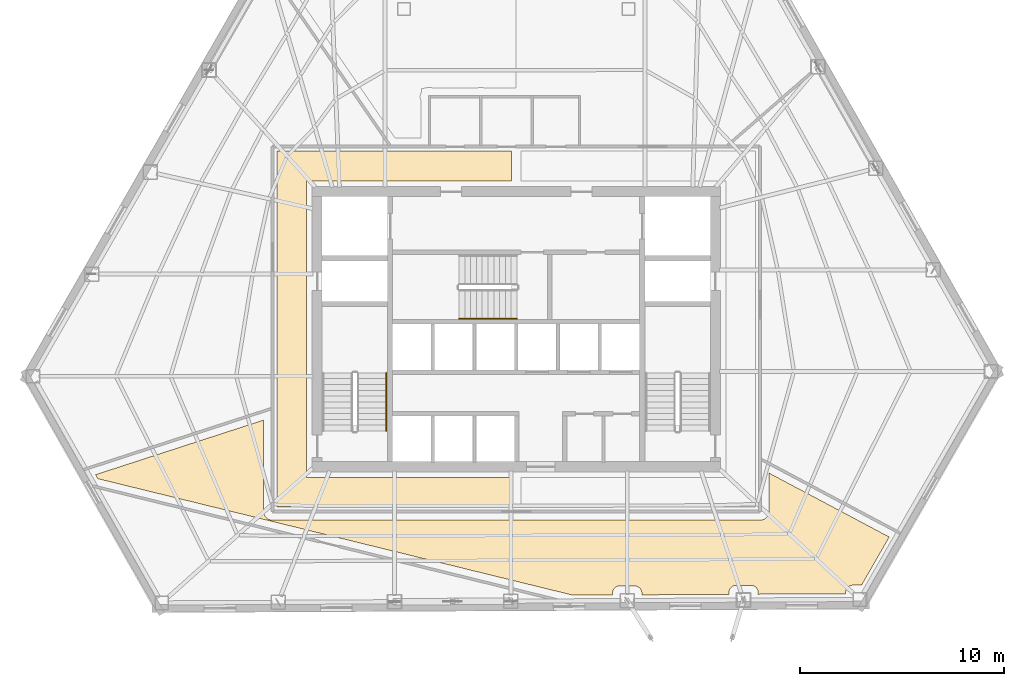
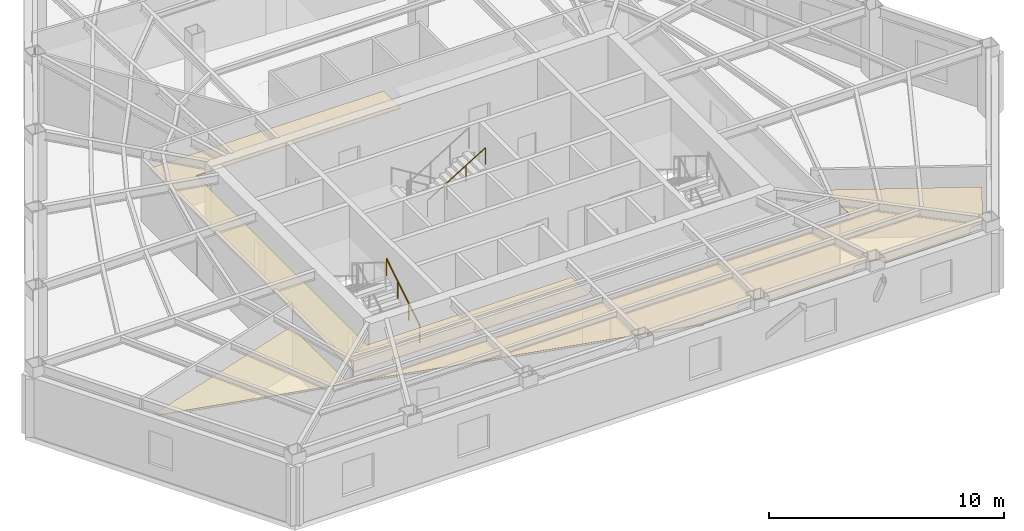
# One storey, part 12 of 13: 2 coverings, 2 railings.
"""IFC4 building model written with IfcOpenShell, lengths in metres."""

import ifcopenshell
import ifcopenshell.guid

model = None  # the IFC model being written
_history = None  # IfcOwnerHistory: only IFC2X3 demands one
_inside = {}  # id of a spatial element -> (the spatial element, [elements in it])
_under = {}  # id of a project, library or spatial element -> (it, [spatial elements below it])
_declared = {}  # id of a project -> (the project, [libraries it declares])
_typed = {}  # id of a type object -> (the type object, [elements of that type])
_made_of = {}  # id of a material, layer set ... -> (it, [elements and type objects made of it])


def new_model(schema):
    """Start an empty IFC model of exactly this schema.

    Asked for "IFC4X3", IfcOpenShell would pick the latest addendum, in which some entities
    have other attributes; the version numbers below select the first issue.
    IFC2X3 requires an IfcOwnerHistory on every rooted entity: one is made here for all.
    """
    global model, _history
    if schema == "IFC4X3":
        model = ifcopenshell.file(schema_version=(4, 3, 0, 0))
    else:
        model = ifcopenshell.file(schema=schema)
    _inside.clear()
    _under.clear()
    _declared.clear()
    _typed.clear()
    _made_of.clear()
    _history = None
    if model.schema == "IFC2X3":
        org = make("IfcOrganization", Name="unknown")
        user = make(
            "IfcPersonAndOrganization",
            ThePerson=make("IfcPerson", FamilyName="unknown"),
            TheOrganization=org,
        )
        app = make(
            "IfcApplication",
            ApplicationDeveloper=org,
            Version="unknown",
            ApplicationFullName="unknown",
            ApplicationIdentifier="unknown",
        )
        _history = make(
            "IfcOwnerHistory",
            OwningUser=user,
            OwningApplication=app,
            ChangeAction="ADDED",
            CreationDate=0,
        )
    return model


def make(cls, **values):
    """One entity of the class cls with the attributes given. An attribute that is None is left unset."""
    return model.create_entity(
        cls, **{name: value for name, value in values.items() if value is not None}
    )


def rooted(cls, **values):
    """An entity with a GlobalId (a new one), such as an element, a storey or a relation."""
    return make(cls, GlobalId=ifcopenshell.guid.new(), OwnerHistory=_history, **values)


def si_unit(unit_type, name, prefix=None):
    """IfcSIUnit, for example si_unit("LENGTHUNIT", "METRE", prefix="MILLI")."""
    return make("IfcSIUnit", UnitType=unit_type, Prefix=prefix, Name=name)


def assignment(units):
    """IfcUnitAssignment: the units of a project."""
    return None if units is None else make("IfcUnitAssignment", Units=units)


def point(xyz):
    """IfcCartesianPoint."""
    return None if xyz is None else make("IfcCartesianPoint", Coordinates=xyz)


def direction(xyz):
    """IfcDirection."""
    return None if xyz is None else make("IfcDirection", DirectionRatios=xyz)


def frame(location, z_axis=None, x_axis=None):
    """IfcAxis2Placement3D, a coordinate frame: its origin and axes. An axis left out is left unset."""
    return make(
        "IfcAxis2Placement3D",
        Location=point(location),
        Axis=direction(z_axis),
        RefDirection=direction(x_axis),
    )


def frame_2d(location, x_axis=None):
    """IfcAxis2Placement2D, a coordinate frame in the plane: its origin and x axis."""
    return make(
        "IfcAxis2Placement2D", Location=point(location), RefDirection=direction(x_axis)
    )


def origin():
    """The frame at (0, 0, 0) with its axes left unset."""
    return frame((0.0, 0.0, 0.0))


def origin_2d():
    """The frame at (0, 0) in the plane with its x axis left unset."""
    return frame_2d((0.0, 0.0))


def place(relative_to, where):
    """IfcLocalPlacement: puts the frame where relative to a parent placement (None: the world)."""
    return make(
        "IfcLocalPlacement", PlacementRelTo=relative_to, RelativePlacement=where
    )


def context(
    kind, dimensions, precision=None, world=None, true_north=None, identifier=None
):
    """IfcGeometricRepresentationContext, for example the 3D "Model" context."""
    return make(
        "IfcGeometricRepresentationContext",
        ContextIdentifier=identifier,
        ContextType=kind,
        CoordinateSpaceDimension=dimensions,
        Precision=precision,
        WorldCoordinateSystem=world,
        TrueNorth=true_north,
    )


def subcontext(parent, identifier, kind, view, scale=None):
    """IfcGeometricRepresentationSubContext, for example "Body" below "Model"."""
    return make(
        "IfcGeometricRepresentationSubContext",
        ContextIdentifier=identifier,
        ContextType=kind,
        ParentContext=parent,
        TargetScale=scale,
        TargetView=view,
    )


def project(units=None, contexts=None):
    """IfcProject with its units and contexts."""
    return rooted(
        "IfcProject",
        Name="project",
        RepresentationContexts=contexts,
        UnitsInContext=assignment(units),
    )


def spatial(cls, under=None, at=None, **own):
    """A site, building, storey or space (cls), placed at a placement, below another one or the project."""
    s = rooted(cls, ObjectPlacement=at, **own)
    if under is not None:
        _under.setdefault(under.id(), (under, []))[1].append(s)
    return s


def polyline(points):
    """IfcPolyline through the points."""
    return make("IfcPolyline", Points=[point(p) for p in points])


def profile(cls, at=None, kind="AREA", **sizes):
    """A parametric profile (cls). Its sizes go by their IFC names, for example OverallWidth=200.0."""
    return make(cls, ProfileType=kind, Position=at, **sizes)


def circle(**sizes):
    """IfcCircleProfileDef."""
    return profile("IfcCircleProfileDef", **sizes)


def outline(outer, holes=None, kind="AREA"):
    """IfcArbitraryClosedProfileDef: a profile drawn as a closed curve; with holes, ...WithVoids."""
    if holes is None:
        return make("IfcArbitraryClosedProfileDef", ProfileType=kind, OuterCurve=outer)
    return make(
        "IfcArbitraryProfileDefWithVoids",
        ProfileType=kind,
        OuterCurve=outer,
        InnerCurves=holes,
    )


def extrude(swept, where, along, depth):
    """IfcExtrudedAreaSolid: the profile swept, set in the frame where, extruded along a direction by depth."""
    return make(
        "IfcExtrudedAreaSolid",
        SweptArea=swept,
        Position=where,
        ExtrudedDirection=direction(along),
        Depth=depth,
    )


def shape(context_of_items, identifier, shape_type, items):
    """IfcShapeRepresentation: the items that make up one representation, for example the "Body"."""
    return make(
        "IfcShapeRepresentation",
        ContextOfItems=context_of_items,
        RepresentationIdentifier=identifier,
        RepresentationType=shape_type,
        Items=items,
    )


def material(Name=None, Category=None):
    """IfcMaterial."""
    return make("IfcMaterial", Name=Name, Category=Category)


def layer(
    of_material, thickness, ventilated=None, Name=None, Category=None, Priority=None
):
    """IfcMaterialLayer: one layer of a wall or slab, of a material (None: an air gap)."""
    return make(
        "IfcMaterialLayer",
        Material=of_material,
        LayerThickness=thickness,
        IsVentilated=ventilated,
        Name=Name,
        Category=Category,
        Priority=Priority,
    )


def layer_set(layers, Name=None):
    """IfcMaterialLayerSet."""
    return make("IfcMaterialLayerSet", MaterialLayers=layers, LayerSetName=Name)


def made_of(thing, what):
    """Note that an element or type object is made of a material, layer set ...; save() writes the relation."""
    if what is not None:
        _made_of.setdefault(what.id(), (what, []))[1].append(thing)
    return thing


def type_object(cls, material=None, **own):
    """A type object (cls), such as IfcWallType, which elements share."""
    return made_of(rooted(cls, **own), material)


def element(
    cls,
    number,
    at=None,
    inside=None,
    cuts=None,
    type_object=None,
    material=None,
    context=None,
    identifier="Body",
    shape_type=None,
    held_by="IfcProductDefinitionShape",
    body=None,
    shapes=None,
    **own,
):
    """One element of the class cls, such as IfcWall. Its Tag is "e" and its number.

    at: its placement. inside: the storey or other place that contains it. cuts: it is an
    opening in that element (IfcRelVoidsElement). A single representation is given by context,
    identifier, shape_type and body (its items); several are given by shapes. held_by: the class
    of the entity that holds the representations. save() writes the other relations.
    """
    e = rooted(cls, Tag="e%d" % number, ObjectPlacement=at, **own)
    if body is not None:
        shapes = [shape(context, identifier, shape_type, body)]
    if shapes is not None:
        e.Representation = make(held_by, Representations=shapes)
    if inside is not None:
        _inside.setdefault(inside.id(), (inside, []))[1].append(e)
    if cuts is not None:
        rooted(
            "IfcRelVoidsElement", RelatingBuildingElement=cuts, RelatedOpeningElement=e
        )
    if type_object is not None:
        _typed.setdefault(type_object.id(), (type_object, []))[1].append(e)
    return made_of(e, material)


def aggregate(whole, parts):
    """IfcRelAggregates: a whole, such as a stair, and the parts it consists of."""
    return rooted("IfcRelAggregates", RelatingObject=whole, RelatedObjects=parts)


def save(model, path):
    """Write the relations noted so far, then the file.

    IfcRelAggregates (storeys below a building ...), IfcRelContainedInSpatialStructure (elements
    in a storey), IfcRelDefinesByType, IfcRelAssociatesMaterial and IfcRelDeclares: one each for
    every whole, place, type object, material and project.
    """
    for whole, parts in _under.values():
        aggregate(whole, parts)
    for where, things in _inside.values():
        rooted(
            "IfcRelContainedInSpatialStructure",
            RelatedElements=things,
            RelatingStructure=where,
        )
    for kind, things in _typed.values():
        rooted("IfcRelDefinesByType", RelatedObjects=things, RelatingType=kind)
    for what, things in _made_of.values():
        rooted("IfcRelAssociatesMaterial", RelatedObjects=things, RelatingMaterial=what)
    for by, libraries in _declared.values():
        rooted("IfcRelDeclares", RelatingContext=by, RelatedDefinitions=libraries)
    model.write(path)


model = new_model("IFC4")

# Units and contexts
model_context = context("Model", 3, precision=1e-05, world=origin(), true_north=direction((0.0, 1.0)))
body_context = subcontext(model_context, "Body", "Model", "MODEL_VIEW")
ifc_project = project(units=[si_unit("LENGTHUNIT", "METRE"), si_unit("AREAUNIT", "SQUARE_METRE"), si_unit("VOLUMEUNIT", "CUBIC_METRE"), si_unit("PLANEANGLEUNIT", "RADIAN"), si_unit("MASSUNIT", "GRAM", prefix="KILO")], contexts=[model_context])

# Site, building, storey
site_placement = place(None, origin())
site = spatial("IfcSite", under=ifc_project, at=site_placement, CompositionType="ELEMENT")
building_placement = place(site_placement, origin())
building = spatial("IfcBuilding", under=site, at=building_placement, Name="Kavelnor Concourse Tower", CompositionType="ELEMENT")
storey_placement = place(building_placement, frame((0.0, 0.0, 85.5)))
storey = spatial("IfcBuildingStorey", under=building, at=storey_placement, Name="L21", CompositionType="ELEMENT", Elevation=85.5)

# Coverings
ifc_material_1 = material(Name="Mineral fibre acoustic ceiling tile")
ifc_layer = layer(ifc_material_1, 0.0400390625, Name="Mineral fibre acoustic ceiling tile")
ifc_layer_set = layer_set([ifc_layer], Name="Mineral fibre acoustic ceiling tile")
covering_type = type_object("IfcCoveringType", Name="COV-CEILING-ACOUSTIC", PredefinedType="CEILING", material=ifc_layer_set)
covering_1_placement = place(storey_placement, frame((0.0, 0.0, 2.75)))
element("IfcCovering", 1, at=covering_1_placement, inside=storey, type_object=covering_type, Name="L21 Suspended Acoustic Ceiling", PredefinedType="CEILING", context=body_context, shape_type="SweptSolid", body=[
    extrude(outline(polyline([(26.25, 7.3701171875), (26.25, 24.830078125), (37.77490234375, 24.830078125), (37.77490234375, 23.3701171875), (27.7099609375, 23.3701171875), (27.7099609375, 8.830078125), (37.77490234375, 8.830078125), (37.77490234375, 7.3701171875), (26.25, 7.3701171875)])), origin(), (0.0, 0.0, 1.0), 0.0400390625),
])
covering_2_placement = place(storey_placement, frame((0.0, 0.0, 2.75)))
element("IfcCovering", 2, at=covering_2_placement, inside=storey, type_object=covering_type, Name="L21 Suspended Acoustic Ceiling", PredefinedType="CEILING", context=body_context, shape_type="SweptSolid", body=[
    extrude(outline(polyline([(25.615234375, 7.0673828125), (25.625244140625, 7.027099609375), (25.639404296875, 6.98828125), (25.656982421875, 6.95068359375), (25.678466796875, 6.9150390625), (25.703125, 6.881591796875), (25.73095703125, 6.85107421875), (25.76171875, 6.822998046875), (25.794921875, 6.79833984375), (25.83056640625, 6.777099609375), (25.8681640625, 6.75927734375), (25.9072265625, 6.745361328125), (25.947509765625, 6.735107421875), (25.988525390625, 6.72900390625), (26.021728515625, 6.7275390625), (49.978271484375, 6.7275390625), (50.011474609375, 6.72900390625), (50.052490234375, 6.735107421875), (50.0927734375, 6.745361328125), (50.1318359375, 6.75927734375), (50.16943359375, 6.777099609375), (50.205078125, 6.79833984375), (50.23828125, 6.822998046875), (50.26904296875, 6.85107421875), (50.296875, 6.881591796875), (50.321533203125, 6.9150390625), (50.343017578125, 6.95068359375), (50.360595703125, 6.98828125), (50.374755859375, 7.027099609375), (50.384765625, 7.0673828125), (50.390869140625, 7.1083984375), (50.392578125, 7.1416015625), (50.392578125, 9.040771484375), (56.301513671875, 5.89892578125), (54.94189453125, 3.534423828125), (54.51416015625, 3.534423828125), (54.487060546875, 3.533203125), (54.4521484375, 3.52783203125), (54.417724609375, 3.519287109375), (54.384521484375, 3.50732421875), (54.3525390625, 3.4921875), (54.322265625, 3.47412109375), (54.293701171875, 3.452880859375), (54.267578125, 3.42919921875), (54.243896484375, 3.403076171875), (54.22265625, 3.37451171875), (54.20458984375, 3.34423828125), (54.189453125, 3.312255859375), (54.177490234375, 3.279052734375), (54.1689453125, 3.24462890625), (54.163818359375, 3.209716796875), (54.162353515625, 3.1826171875), (54.162353515625, 3.11083984375), (49.873291015625, 3.089599609375), (49.873291015625, 3.17431640625), (49.8720703125, 3.201416015625), (49.86669921875, 3.236328125), (49.858154296875, 3.2705078125), (49.84619140625, 3.303955078125), (49.831298828125, 3.3359375), (49.81298828125, 3.3662109375), (49.7919921875, 3.39453125), (49.76806640625, 3.4208984375), (49.741943359375, 3.444580078125), (49.71337890625, 3.4658203125), (49.68310546875, 3.48388671875), (49.651123046875, 3.4990234375), (49.617919921875, 3.510986328125), (49.58349609375, 3.51953125), (49.548583984375, 3.524658203125), (49.521484375, 3.52587890625), (48.784912109375, 3.52587890625), (48.758056640625, 3.524658203125), (48.722900390625, 3.51953125), (48.688720703125, 3.510986328125), (48.655517578125, 3.4990234375), (48.623291015625, 3.48388671875), (48.593017578125, 3.4658203125), (48.564697265625, 3.444580078125), (48.53857421875, 3.4208984375), (48.5146484375, 3.39453125), (48.49365234375, 3.3662109375), (48.475341796875, 3.3359375), (48.460205078125, 3.303955078125), (48.448486328125, 3.2705078125), (48.439697265625, 3.236328125), (48.4345703125, 3.201416015625), (48.433349609375, 3.17431640625), (48.433349609375, 3.08251953125), (44.164306640625, 3.061279296875), (44.164306640625, 3.14599609375), (44.162841796875, 3.1728515625), (44.15771484375, 3.2080078125), (44.149169921875, 3.2421875), (44.13720703125, 3.275390625), (44.1220703125, 3.3076171875), (44.10400390625, 3.337890625), (44.082763671875, 3.3662109375), (44.05908203125, 3.392333984375), (44.03271484375, 3.416259765625), (44.00439453125, 3.437255859375), (43.97412109375, 3.45556640625), (43.942138671875, 3.470703125), (43.90869140625, 3.482421875), (43.87451171875, 3.4912109375), (43.839599609375, 3.496337890625), (43.8125, 3.49755859375), (43.075927734375, 3.49755859375), (43.048828125, 3.496337890625), (43.013916015625, 3.4912109375), (42.9794921875, 3.482421875), (42.9462890625, 3.470703125), (42.914306640625, 3.45556640625), (42.884033203125, 3.437255859375), (42.855712890625, 3.416259765625), (42.829345703125, 3.392333984375), (42.8056640625, 3.3662109375), (42.784423828125, 3.337890625), (42.766357421875, 3.3076171875), (42.751220703125, 3.275390625), (42.7392578125, 3.2421875), (42.730712890625, 3.2080078125), (42.7255859375, 3.1728515625), (42.72412109375, 3.14599609375), (42.72412109375, 3.053955078125), (40.775146484375, 3.044189453125), (17.464599609375, 8.761474609375), (17.354248046875, 8.955322265625), (25.607421875, 11.63720703125), (25.607421875, 7.1416015625), (25.609130859375, 7.1083984375), (25.615234375, 7.0673828125)])), origin(), (0.0, 0.0, 1.0), 0.0400390625),
])

# Railings
ifc_material_2 = material(Name="Steel Grade 350", Category="steel")
railing_type = type_object("IfcRailingType", Name="RLG-HANDRAIL-900", PredefinedType="HANDRAIL", material=ifc_material_2)
railing_1_placement = place(storey_placement, frame((31.6298828125, 11.10009765625, 0.175048828125)))
element("IfcRailing", 3, at=railing_1_placement, inside=storey, type_object=railing_type, Name="L21 ST1 stair handrail 1", PredefinedType="HANDRAIL", context=body_context, shape_type="SweptSolid", body=[
    extrude(circle(Radius=0.02392578125, at=origin_2d()), frame((0.0, 0.0, 0.8759765625), z_axis=(0.0, 0.852159232446, 0.523282564737), x_axis=(-1.0, 0.0, 0.0)), (0.0, 0.0, 1.0), 3.34423828125),
    extrude(circle(Radius=0.02099609375, at=origin_2d()), origin(), (0.0, 0.0, 1.0), 0.851806640625),
    extrude(circle(Radius=0.02099609375, at=origin_2d()), frame((0.0, 0.949951171875, 0.583251953125)), (0.0, 0.0, 1.0), 0.851806640625),
    extrude(circle(Radius=0.02099609375, at=origin_2d()), frame((0.0, 1.89990234375, 1.166748046875)), (0.0, 0.0, 1.0), 0.851806640625),
    extrude(circle(Radius=0.02099609375, at=origin_2d()), frame((0.0, 2.849853515625, 1.75)), (0.0, 0.0, 1.0), 0.851806640625),
])
railing_2_placement = place(storey_placement, frame((35.18994140625, 16.610107421875, 2.10009765625)))
element("IfcRailing", 4, at=railing_2_placement, inside=storey, type_object=railing_type, Name="L21 ST3 stair handrail 2", PredefinedType="HANDRAIL", context=body_context, shape_type="SweptSolid", body=[
    extrude(circle(Radius=0.02392578125, at=origin_2d()), frame((0.0, 0.0, 0.8759765625), z_axis=(0.852179220489, 0.0, 0.52325001306), x_axis=(0.0, 1.0, 0.0)), (0.0, 0.0, 1.0), 3.344482421875),
    extrude(circle(Radius=0.02099609375, at=origin_2d()), origin(), (0.0, 0.0, 1.0), 0.851806640625),
    extrude(circle(Radius=0.02099609375, at=origin_2d()), frame((0.949951171875, 0.0, 0.583251953125)), (0.0, 0.0, 1.0), 0.851806640625),
    extrude(circle(Radius=0.02099609375, at=origin_2d()), frame((1.900146484375, 0.0, 1.166748046875)), (0.0, 0.0, 1.0), 0.851806640625),
    extrude(circle(Radius=0.02099609375, at=origin_2d()), frame((2.85009765625, 0.0, 1.75)), (0.0, 0.0, 1.0), 0.851806640625),
])

save(model, "model.ifc")
